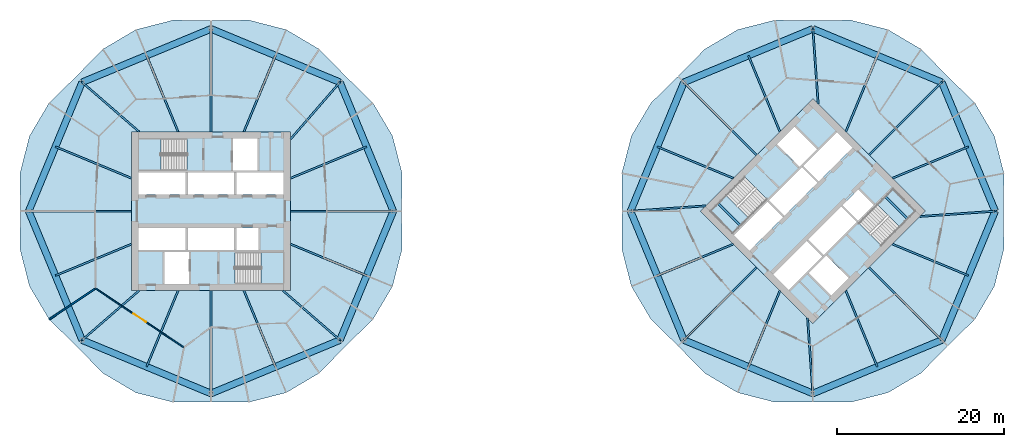
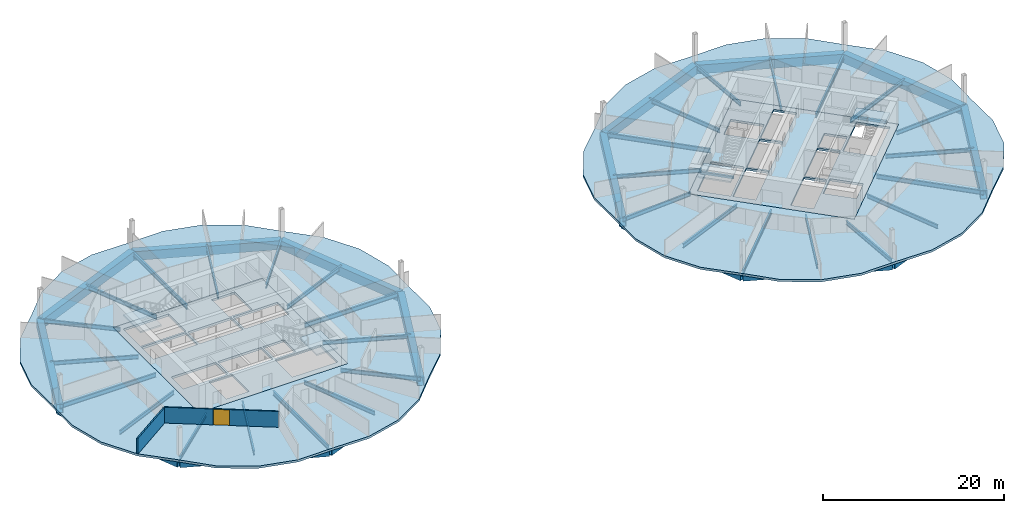
# One storey, part 3 of 9: 50 beams, 8 slabs, 2 walls, 1 door, 1 opening, 4 elements without a shape of their own.
"""IFC4 building model written with IfcOpenShell, lengths in metres."""

from ifc_helpers import new_model, si_unit, direction, frame, frame_2d, origin, origin_2d, place, context, subcontext, project, spatial, polyline, rectangle, hollow_rectangle, i_section, outline, extrude, material, layer, layer_set, material_profile, profile_set, type_object, element, fill, aggregate, save


model = new_model("IFC4")

# Units and contexts
model_context = context("Model", 3, precision=1e-05, world=origin(), true_north=direction((0.0, 1.0)))
body_context = subcontext(model_context, "Body", "Model", "MODEL_VIEW")
ifc_project = project(units=[si_unit("LENGTHUNIT", "METRE"), si_unit("AREAUNIT", "SQUARE_METRE"), si_unit("VOLUMEUNIT", "CUBIC_METRE"), si_unit("PLANEANGLEUNIT", "RADIAN"), si_unit("MASSUNIT", "GRAM", prefix="KILO")], contexts=[model_context])

# Site, building, storey
site_placement = place(None, origin())
site = spatial("IfcSite", under=ifc_project, at=site_placement, CompositionType="ELEMENT")
building_placement = place(site_placement, origin())
building = spatial("IfcBuilding", under=site, at=building_placement, Name="Ogive Gate Towers", CompositionType="ELEMENT")
storey_placement = place(building_placement, frame((0.0, 0.0, 48.0)))
storey = spatial("IfcBuildingStorey", under=building, at=storey_placement, Name="L10", CompositionType="ELEMENT", Elevation=48.0)

# Beams
ifc_material_1 = material(Name="Steel SM460", Category="steel")
ifc_material_profile_1 = material_profile(ifc_material_1, hollow_rectangle(XDim=0.800048828125, YDim=1.199951171875, WallThickness=0.050048828125, at=origin_2d()), Name="BX 1200x800x50")
ifc_profile_set_1 = profile_set([ifc_material_profile_1], Name="Steel SM460")
beam_type_1 = type_object("IfcBeamType", Name="Edge girder BX 1200x800x50", PredefinedType="BEAM", material=ifc_profile_set_1)
for number, where, z_axis, x_axis, name in (
    (1, (-51.422119140625, -15.422119140625, -0.89990234375), (0.923881893128, -0.382677733282, 0.0), (0.382677733282, 0.923881893128, 0.0), "T1/L10/SBM017"),
    (2, (-36.0, -21.81005859375, -0.89990234375), (0.923881893128, 0.382677733282, 0.0), (-0.382677733282, 0.923881893128, 0.0), "T1/L10/SBM018"),
    (3, (-20.577880859375, -15.422119140625, -0.89990234375), (0.382677733282, 0.923881893128, 0.0), (-0.923881893128, 0.382677733282, 0.0), "T1/L10/SBM019"),
    (4, (-14.18994140625, 0.0, -0.89990234375), (-0.382677733282, 0.923881893128, 0.0), (-0.923881893128, -0.382677733282, 0.0), "T1/L10/SBM020"),
    (5, (-20.577880859375, 15.422119140625, -0.89990234375), (-0.923881893128, 0.382677733282, 0.0), (-0.382677733282, -0.923881893128, 0.0), "T1/L10/SBM021"),
    (6, (-36.0, 21.81005859375, -0.89990234375), (-0.923881893128, -0.382677733282, 0.0), (0.382677733282, -0.923881893128, 0.0), "T1/L10/SBM022"),
    (7, (-51.422119140625, 15.422119140625, -0.89990234375), (-0.382677733282, -0.923881893128, 0.0), (0.923881893128, -0.382677733282, 0.0), "T1/L10/SBM023"),
    (8, (-57.81005859375, 0.0, -0.89990234375), (0.382677733282, -0.923881893128, 0.0), (0.923881893128, 0.382677733282, 0.0), "T1/L10/SBM024"),
    (9, (20.577880859375, -15.422119140625, -0.89990234375), (0.923881893128, -0.382677733282, 0.0), (0.382677733282, 0.923881893128, 0.0), "T2/L10/SBM017"),
    (10, (36.0, -21.81005859375, -0.89990234375), (0.923881893128, 0.382677733282, 0.0), (-0.382677733282, 0.923881893128, 0.0), "T2/L10/SBM018"),
    (11, (51.422119140625, -15.422119140625, -0.89990234375), (0.382677733282, 0.923881893128, 0.0), (-0.923881893128, 0.382677733282, 0.0), "T2/L10/SBM019"),
    (12, (57.81005859375, 0.0, -0.89990234375), (-0.382677733282, 0.923881893128, 0.0), (-0.923881893128, -0.382677733282, 0.0), "T2/L10/SBM020"),
    (13, (51.422119140625, 15.422119140625, -0.89990234375), (-0.923881893128, 0.382677733282, 0.0), (-0.382677733282, -0.923881893128, 0.0), "T2/L10/SBM021"),
    (14, (36.0, 21.81005859375, -0.89990234375), (-0.923881893128, -0.382677733282, 0.0), (0.382677733282, -0.923881893128, 0.0), "T2/L10/SBM022"),
    (15, (20.577880859375, 15.422119140625, -0.89990234375), (-0.382677733282, -0.923881893128, 0.0), (0.923881893128, -0.382677733282, 0.0), "T2/L10/SBM023"),
    (16, (14.18994140625, 0.0, -0.89990234375), (0.382677733282, -0.923881893128, 0.0), (0.923881893128, 0.382677733282, 0.0), "T2/L10/SBM024"),
):
    element("IfcBeam", number, at=place(storey_placement, frame(where, z_axis=z_axis, x_axis=x_axis)), inside=storey, type_object=beam_type_1, Name=name, PredefinedType="BEAM", context=body_context, shape_type="SweptSolid", body=[
        extrude(hollow_rectangle(XDim=0.800048828125, YDim=1.199951171875, WallThickness=0.050048828125, at=origin_2d()), origin(), (0.0, 0.0, 1.0), 16.692626953125),
    ])
ifc_material_2 = material(Name="Concrete C40/50", Category="concrete")
ifc_material_profile_2 = material_profile(ifc_material_2, rectangle(XDim=0.25, YDim=0.300048828125, at=origin_2d()), Name="RC 250x300")
ifc_profile_set_2 = profile_set([ifc_material_profile_2], Name="Concrete C40/50")
beam_type_2 = type_object("IfcBeamType", Name="Landing bearer RC 250x300", PredefinedType="BEAM", material=ifc_profile_set_2)
for number, where, z_axis, x_axis, name in (
    (17, (24.650390625, 0.9541015625, 1.60009765625), (0.707106781187, -0.707106781187, 0.0), (0.707106781187, 0.707106781187, 0.0), "T2 L10 stair 1 landing bearer 1"),
    (18, (47.349609375, -0.9541015625, 1.60009765625), (-0.707106781187, 0.707106781187, 0.0), (-0.707106781187, -0.707106781187, 0.0), "T2 L10 stair 2 landing bearer 1"),
):
    element("IfcBeam", number, at=place(storey_placement, frame(where, z_axis=z_axis, x_axis=x_axis)), inside=storey, type_object=beam_type_2, Name=name, PredefinedType="BEAM", context=body_context, shape_type="SweptSolid", body=[
        extrude(rectangle(XDim=0.25, YDim=0.300048828125, at=origin_2d()), origin(), (0.0, 0.0, 1.0), 3.824951171875),
    ])
ifc_material_3 = material(Name="Steel SM355", Category="steel")
ifc_material_profile_3 = material_profile(ifc_material_3, i_section(OverallWidth=0.2099609375, OverallDepth=0.550048828125, WebThickness=0.010986328125, FlangeThickness=0.01708984375, FilletRadius=0.02392578125, at=origin_2d()), Name="IPE 550")
ifc_profile_set_3 = profile_set([ifc_material_profile_3], Name="Steel SM355")
beam_type_3 = type_object("IfcBeamType", Name="Radial floor beam IPE 550", PredefinedType="BEAM", material=ifc_profile_set_3)
beam_1_placement = place(storey_placement, frame((-44.60009765625, -9.5, -0.574951171875), z_axis=(-0.755157389596, -0.655543527875, 0.0), x_axis=(0.655543527875, -0.755157389596, 0.0)))
element("IfcBeam", 19, at=beam_1_placement, inside=storey, type_object=beam_type_3, Name="T1/L10/SBM001", PredefinedType="BEAM", context=body_context, shape_type="SweptSolid", body=[
    extrude(i_section(OverallWidth=0.2099609375, OverallDepth=0.550048828125, WebThickness=0.010986328125, FlangeThickness=0.01708984375, FilletRadius=0.02392578125, at=origin_2d()), origin(), (0.0, 0.0, 1.0), 9.033935546875),
])
for number, where, z_axis, x_axis, name in (
    (20, (-39.93505859375, -9.5, -0.574951171875), (-0.38267666976, -0.923882333645, 0.0), (0.923882333645, -0.38267666976, 0.0), "T1/L10/SBM002"),
    (21, (-32.06494140625, -9.5, -0.574951171875), (0.38267666976, -0.923882333645, 0.0), (0.923882333645, 0.38267666976, 0.0), "T1/L10/SBM004"),
):
    element("IfcBeam", number, at=place(storey_placement, frame(where, z_axis=z_axis, x_axis=x_axis)), inside=storey, type_object=beam_type_3, Name=name, PredefinedType="BEAM", context=body_context, shape_type="SweptSolid", body=[
        extrude(i_section(OverallWidth=0.2099609375, OverallDepth=0.550048828125, WebThickness=0.010986328125, FlangeThickness=0.01708984375, FilletRadius=0.02392578125, at=origin_2d()), origin(), (0.0, 0.0, 1.0), 9.866943359375),
    ])
beam_2_placement = place(storey_placement, frame((-27.39990234375, -9.5, -0.574951171875), z_axis=(0.755157389596, -0.655543527875, 0.0), x_axis=(0.655543527875, 0.755157389596, 0.0)))
element("IfcBeam", 22, at=beam_2_placement, inside=storey, type_object=beam_type_3, Name="T1/L10/SBM005", PredefinedType="BEAM", context=body_context, shape_type="SweptSolid", body=[
    extrude(i_section(OverallWidth=0.2099609375, OverallDepth=0.550048828125, WebThickness=0.010986328125, FlangeThickness=0.01708984375, FilletRadius=0.02392578125, at=origin_2d()), origin(), (0.0, 0.0, 1.0), 9.033935546875),
])
for number, where, z_axis, x_axis, name in (
    (23, (-26.5, -3.93505859375, -0.574951171875), (0.923882333645, -0.38267666976, 0.0), (0.38267666976, 0.923882333645, 0.0), "T1/L10/SBM006"),
    (24, (-26.5, 3.93505859375, -0.574951171875), (0.923882333645, 0.38267666976, 0.0), (-0.38267666976, 0.923882333645, 0.0), "T1/L10/SBM008"),
):
    element("IfcBeam", number, at=place(storey_placement, frame(where, z_axis=z_axis, x_axis=x_axis)), inside=storey, type_object=beam_type_3, Name=name, PredefinedType="BEAM", context=body_context, shape_type="SweptSolid", body=[
        extrude(i_section(OverallWidth=0.2099609375, OverallDepth=0.550048828125, WebThickness=0.010986328125, FlangeThickness=0.01708984375, FilletRadius=0.02392578125, at=origin_2d()), origin(), (0.0, 0.0, 1.0), 9.866943359375),
    ])
beam_3_placement = place(storey_placement, frame((-26.5, 8.60009765625, -0.574951171875), z_axis=(0.655543527875, 0.755157389596, 0.0), x_axis=(-0.755157389596, 0.655543527875, 0.0)))
element("IfcBeam", 25, at=beam_3_placement, inside=storey, type_object=beam_type_3, Name="T1/L10/SBM009", PredefinedType="BEAM", context=body_context, shape_type="SweptSolid", body=[
    extrude(i_section(OverallWidth=0.2099609375, OverallDepth=0.550048828125, WebThickness=0.010986328125, FlangeThickness=0.01708984375, FilletRadius=0.02392578125, at=origin_2d()), origin(), (0.0, 0.0, 1.0), 9.033935546875),
])
for number, where, z_axis, x_axis, name in (
    (26, (-32.06494140625, 9.5, -0.574951171875), (0.38267666976, 0.923882333645, 0.0), (-0.923882333645, 0.38267666976, 0.0), "T1/L10/SBM010"),
    (27, (-39.93505859375, 9.5, -0.574951171875), (-0.38267666976, 0.923882333645, 0.0), (-0.923882333645, -0.38267666976, 0.0), "T1/L10/SBM012"),
):
    element("IfcBeam", number, at=place(storey_placement, frame(where, z_axis=z_axis, x_axis=x_axis)), inside=storey, type_object=beam_type_3, Name=name, PredefinedType="BEAM", context=body_context, shape_type="SweptSolid", body=[
        extrude(i_section(OverallWidth=0.2099609375, OverallDepth=0.550048828125, WebThickness=0.010986328125, FlangeThickness=0.01708984375, FilletRadius=0.02392578125, at=origin_2d()), origin(), (0.0, 0.0, 1.0), 9.866943359375),
    ])
beam_4_placement = place(storey_placement, frame((-44.60009765625, 9.5, -0.574951171875), z_axis=(-0.755157389596, 0.655543527875, 0.0), x_axis=(-0.655543527875, -0.755157389596, 0.0)))
element("IfcBeam", 28, at=beam_4_placement, inside=storey, type_object=beam_type_3, Name="T1/L10/SBM013", PredefinedType="BEAM", context=body_context, shape_type="SweptSolid", body=[
    extrude(i_section(OverallWidth=0.2099609375, OverallDepth=0.550048828125, WebThickness=0.010986328125, FlangeThickness=0.01708984375, FilletRadius=0.02392578125, at=origin_2d()), origin(), (0.0, 0.0, 1.0), 9.033935546875),
])
for number, where, z_axis, x_axis, name in (
    (29, (-45.5, 3.93505859375, -0.574951171875), (-0.923882333645, 0.38267666976, 0.0), (-0.38267666976, -0.923882333645, 0.0), "T1/L10/SBM014"),
    (30, (-45.5, -3.93505859375, -0.574951171875), (-0.923882333645, -0.38267666976, 0.0), (0.38267666976, -0.923882333645, 0.0), "T1/L10/SBM016"),
    (31, (32.06494140625, -9.5, -0.574951171875), (-0.38267666976, -0.923882333645, 0.0), (0.923882333645, -0.38267666976, 0.0), "T2/L10/SBM002"),
):
    element("IfcBeam", number, at=place(storey_placement, frame(where, z_axis=z_axis, x_axis=x_axis)), inside=storey, type_object=beam_type_3, Name=name, PredefinedType="BEAM", context=body_context, shape_type="SweptSolid", body=[
        extrude(i_section(OverallWidth=0.2099609375, OverallDepth=0.550048828125, WebThickness=0.010986328125, FlangeThickness=0.01708984375, FilletRadius=0.02392578125, at=origin_2d()), origin(), (0.0, 0.0, 1.0), 9.866943359375),
    ])
beam_5_placement = place(storey_placement, frame((35.363525390625, -12.798583984375, -0.574951171875), z_axis=(0.070453840617, -0.99751504066, 0.0), x_axis=(0.99751504066, 0.070453840617, 0.0)))
element("IfcBeam", 32, at=beam_5_placement, inside=storey, type_object=beam_type_3, Name="T2/L10/SBM003", PredefinedType="BEAM", context=body_context, shape_type="SweptSolid", body=[
    extrude(i_section(OverallWidth=0.2099609375, OverallDepth=0.550048828125, WebThickness=0.010986328125, FlangeThickness=0.01708984375, FilletRadius=0.02392578125, at=origin_2d()), origin(), (0.0, 0.0, 1.0), 9.033935546875),
])
for number, where, z_axis, x_axis, name in (
    (33, (39.93505859375, -9.5, -0.574951171875), (0.38267666976, -0.923882333645, 0.0), (0.923882333645, 0.38267666976, 0.0), "T2/L10/SBM004"),
    (34, (45.5, -3.93505859375, -0.574951171875), (0.923882333645, -0.38267666976, 0.0), (0.38267666976, 0.923882333645, 0.0), "T2/L10/SBM006"),
):
    element("IfcBeam", number, at=place(storey_placement, frame(where, z_axis=z_axis, x_axis=x_axis)), inside=storey, type_object=beam_type_3, Name=name, PredefinedType="BEAM", context=body_context, shape_type="SweptSolid", body=[
        extrude(i_section(OverallWidth=0.2099609375, OverallDepth=0.550048828125, WebThickness=0.010986328125, FlangeThickness=0.01708984375, FilletRadius=0.02392578125, at=origin_2d()), origin(), (0.0, 0.0, 1.0), 9.866943359375),
    ])
beam_6_placement = place(storey_placement, frame((48.798583984375, -0.636474609375, -0.574951171875), z_axis=(0.99751504066, 0.070453840617, 0.0), x_axis=(-0.070453840617, 0.99751504066, 0.0)))
element("IfcBeam", 35, at=beam_6_placement, inside=storey, type_object=beam_type_3, Name="T2/L10/SBM007", PredefinedType="BEAM", context=body_context, shape_type="SweptSolid", body=[
    extrude(i_section(OverallWidth=0.2099609375, OverallDepth=0.550048828125, WebThickness=0.010986328125, FlangeThickness=0.01708984375, FilletRadius=0.02392578125, at=origin_2d()), origin(), (0.0, 0.0, 1.0), 9.033935546875),
])
for number, where, z_axis, x_axis, name in (
    (36, (45.5, 3.93505859375, -0.574951171875), (0.923882333645, 0.38267666976, 0.0), (-0.38267666976, 0.923882333645, 0.0), "T2/L10/SBM008"),
    (37, (39.93505859375, 9.5, -0.574951171875), (0.38267666976, 0.923882333645, 0.0), (-0.923882333645, 0.38267666976, 0.0), "T2/L10/SBM010"),
):
    element("IfcBeam", number, at=place(storey_placement, frame(where, z_axis=z_axis, x_axis=x_axis)), inside=storey, type_object=beam_type_3, Name=name, PredefinedType="BEAM", context=body_context, shape_type="SweptSolid", body=[
        extrude(i_section(OverallWidth=0.2099609375, OverallDepth=0.550048828125, WebThickness=0.010986328125, FlangeThickness=0.01708984375, FilletRadius=0.02392578125, at=origin_2d()), origin(), (0.0, 0.0, 1.0), 9.866943359375),
    ])
beam_7_placement = place(storey_placement, frame((36.636474609375, 12.798583984375, -0.574951171875), z_axis=(-0.070453840617, 0.99751504066, 0.0), x_axis=(-0.99751504066, -0.070453840617, 0.0)))
element("IfcBeam", 38, at=beam_7_placement, inside=storey, type_object=beam_type_3, Name="T2/L10/SBM011", PredefinedType="BEAM", context=body_context, shape_type="SweptSolid", body=[
    extrude(i_section(OverallWidth=0.2099609375, OverallDepth=0.550048828125, WebThickness=0.010986328125, FlangeThickness=0.01708984375, FilletRadius=0.02392578125, at=origin_2d()), origin(), (0.0, 0.0, 1.0), 9.033935546875),
])
for number, where, z_axis, x_axis, name in (
    (39, (32.06494140625, 9.5, -0.574951171875), (-0.38267666976, 0.923882333645, 0.0), (-0.923882333645, -0.38267666976, 0.0), "T2/L10/SBM012"),
    (40, (26.5, 3.93505859375, -0.574951171875), (-0.923882333645, 0.38267666976, 0.0), (-0.38267666976, -0.923882333645, 0.0), "T2/L10/SBM014"),
):
    element("IfcBeam", number, at=place(storey_placement, frame(where, z_axis=z_axis, x_axis=x_axis)), inside=storey, type_object=beam_type_3, Name=name, PredefinedType="BEAM", context=body_context, shape_type="SweptSolid", body=[
        extrude(i_section(OverallWidth=0.2099609375, OverallDepth=0.550048828125, WebThickness=0.010986328125, FlangeThickness=0.01708984375, FilletRadius=0.02392578125, at=origin_2d()), origin(), (0.0, 0.0, 1.0), 9.866943359375),
    ])
beam_8_placement = place(storey_placement, frame((23.201416015625, 0.636474609375, -0.574951171875), z_axis=(-0.99751504066, -0.070453840617, 0.0), x_axis=(0.070453840617, -0.99751504066, 0.0)))
element("IfcBeam", 41, at=beam_8_placement, inside=storey, type_object=beam_type_3, Name="T2/L10/SBM015", PredefinedType="BEAM", context=body_context, shape_type="SweptSolid", body=[
    extrude(i_section(OverallWidth=0.2099609375, OverallDepth=0.550048828125, WebThickness=0.010986328125, FlangeThickness=0.01708984375, FilletRadius=0.02392578125, at=origin_2d()), origin(), (0.0, 0.0, 1.0), 9.033935546875),
])
beam_9_placement = place(storey_placement, frame((26.5, -3.93505859375, -0.574951171875), z_axis=(-0.923882333645, -0.38267666976, 0.0), x_axis=(0.38267666976, -0.923882333645, 0.0)))
element("IfcBeam", 42, at=beam_9_placement, inside=storey, type_object=beam_type_3, Name="T2/L10/SBM016", PredefinedType="BEAM", context=body_context, shape_type="SweptSolid", body=[
    extrude(i_section(OverallWidth=0.2099609375, OverallDepth=0.550048828125, WebThickness=0.010986328125, FlangeThickness=0.01708984375, FilletRadius=0.02392578125, at=origin_2d()), origin(), (0.0, 0.0, 1.0), 9.866943359375),
])
ifc_material_profile_4 = material_profile(ifc_material_3, i_section(OverallWidth=0.219970703125, OverallDepth=0.60009765625, WebThickness=0.011962890625, FlangeThickness=0.01904296875, FilletRadius=0.02392578125, at=origin_2d()), Name="IPE 600")
ifc_profile_set_4 = profile_set([ifc_material_profile_4], Name="Steel SM355")
beam_type_4 = type_object("IfcBeamType", Name="Radial floor beam IPE 600", PredefinedType="BEAM", material=ifc_profile_set_4)
for number, where, z_axis, x_axis, name in (
    (43, (-36.0, -9.5, -0.60009765625), (0.0, -1.0, 0.0), (1.0, 0.0, 0.0), "T1/L10/SBM003"),
    (44, (-26.5, 0.0, -0.60009765625), (1.0, 0.0, 0.0), (0.0, 1.0, 0.0), "T1/L10/SBM007"),
    (45, (-36.0, 9.5, -0.60009765625), (0.0, 1.0, 0.0), (-1.0, 0.0, 0.0), "T1/L10/SBM011"),
    (46, (-45.5, 0.0, -0.60009765625), (-1.0, 0.0, 0.0), (0.0, -1.0, 0.0), "T1/L10/SBM015"),
    (47, (29.282470703125, -6.717529296875, -0.60009765625), (-0.707106781187, -0.707106781187, 0.0), (0.707106781187, -0.707106781187, 0.0), "T2/L10/SBM001"),
    (48, (42.717529296875, -6.717529296875, -0.60009765625), (0.707106781187, -0.707106781187, 0.0), (0.707106781187, 0.707106781187, 0.0), "T2/L10/SBM005"),
    (49, (42.717529296875, 6.717529296875, -0.60009765625), (0.707106781187, 0.707106781187, 0.0), (-0.707106781187, 0.707106781187, 0.0), "T2/L10/SBM009"),
    (50, (29.282470703125, 6.717529296875, -0.60009765625), (-0.707106781187, 0.707106781187, 0.0), (-0.707106781187, -0.707106781187, 0.0), "T2/L10/SBM013"),
):
    element("IfcBeam", number, at=place(storey_placement, frame(where, z_axis=z_axis, x_axis=x_axis)), inside=storey, type_object=beam_type_4, Name=name, PredefinedType="BEAM", context=body_context, shape_type="SweptSolid", body=[
        extrude(i_section(OverallWidth=0.219970703125, OverallDepth=0.60009765625, WebThickness=0.011962890625, FlangeThickness=0.01904296875, FilletRadius=0.02392578125, at=origin_2d()), origin(), (0.0, 0.0, 1.0), 12.31005859375),
    ])

# Slabs
ifc_layer_1 = layer(ifc_material_2, 0.300048828125)
ifc_layer_set_1 = layer_set([ifc_layer_1], Name="Core slab C40/50 300 mm")
slab_type_1 = type_object("IfcSlabType", Name="Core slab C40/50 300 mm", PredefinedType="FLOOR", material=ifc_layer_set_1)
slab_1_placement = place(storey_placement, frame((0.0, 0.0, -0.300048828125)))
element("IfcSlab", 51, at=slab_1_placement, inside=storey, type_object=slab_type_1, Name="T1 L10 core slab", PredefinedType="FLOOR", context=body_context, shape_type="SweptSolid", body=[
    extrude(outline(polyline([(-26.5, 9.5), (-26.5, -9.5), (-45.5, -9.5), (-45.5, 9.5), (-26.5, 9.5)]), holes=[polyline([(-39.02490234375, 4.625), (-44.699951171875, 4.625), (-44.699951171875, 2.0), (-39.02490234375, 2.0), (-39.02490234375, 4.625)]), polyline([(-33.22509765625, 2.0), (-33.22509765625, 4.625), (-38.77490234375, 4.625), (-38.77490234375, 2.0), (-33.22509765625, 2.0)]), polyline([(-32.97509765625, 2.0), (-27.300048828125, 2.0), (-27.300048828125, 4.625), (-32.97509765625, 4.625), (-32.97509765625, 2.0)]), polyline([(-44.699951171875, -2.0), (-44.699951171875, -4.625), (-39.02490234375, -4.625), (-39.02490234375, -2.0), (-44.699951171875, -2.0)]), polyline([(-33.22509765625, -2.0), (-38.77490234375, -2.0), (-38.77490234375, -4.625), (-33.22509765625, -4.625), (-33.22509765625, -2.0)]), polyline([(-30.324951171875, -4.625), (-30.324951171875, -2.0), (-32.97509765625, -2.0), (-32.97509765625, -4.625), (-30.324951171875, -4.625)]), polyline([(-33.375, 4.875), (-30.425048828125, 4.875), (-30.425048828125, 8.699951171875), (-33.375, 8.699951171875), (-33.375, 4.875)]), polyline([(-41.574951171875, -4.875), (-41.574951171875, -8.699951171875), (-38.625, -8.699951171875), (-38.625, -4.875), (-41.574951171875, -4.875)]), polyline([(-44.699951171875, 4.875), (-38.885009765625, 4.875), (-38.885009765625, 8.699951171875), (-44.699951171875, 8.699951171875), (-44.699951171875, 4.875)]), polyline([(-27.300048828125, -8.699951171875), (-27.300048828125, -4.875), (-33.114990234375, -4.875), (-33.114990234375, -8.699951171875), (-27.300048828125, -8.699951171875)])]), origin(), (0.0, 0.0, 1.0), 0.300048828125),
])
slab_2_placement = place(storey_placement, frame((0.0, 0.0, -0.300048828125)))
element("IfcSlab", 52, at=slab_2_placement, inside=storey, type_object=slab_type_1, Name="T2 L10 core slab", PredefinedType="FLOOR", context=body_context, shape_type="SweptSolid", body=[
    extrude(outline(polyline([(36.0, 13.43505859375), (49.43505859375, 0.0), (36.0, -13.43505859375), (22.56494140625, 0.0), (36.0, 13.43505859375)]), holes=[polyline([(30.590576171875, 1.13134765625), (26.577880859375, -2.881591796875), (28.43408203125, -4.737548828125), (32.44677734375, -0.724853515625), (30.590576171875, 1.13134765625)]), polyline([(36.548095703125, 3.37646484375), (34.69189453125, 5.232666015625), (30.767333984375, 1.30810546875), (32.62353515625, -0.548095703125), (36.548095703125, 3.37646484375)]), polyline([(36.724853515625, 3.55322265625), (40.737548828125, 7.56591796875), (38.881591796875, 9.422119140625), (34.86865234375, 5.409423828125), (36.724853515625, 3.55322265625)]), polyline([(31.262451171875, -7.56591796875), (33.118408203125, -9.422119140625), (37.13134765625, -5.409423828125), (35.275146484375, -3.55322265625), (31.262451171875, -7.56591796875)]), polyline([(39.37646484375, 0.548095703125), (35.451904296875, -3.37646484375), (37.30810546875, -5.232666015625), (41.232666015625, -1.30810546875), (39.37646484375, 0.548095703125)]), polyline([(43.283203125, 0.742431640625), (41.427001953125, 2.5986328125), (39.55322265625, 0.724853515625), (41.409423828125, -1.13134765625), (43.283203125, 0.742431640625)]), polyline([(34.408935546875, 5.30322265625), (36.4951171875, 7.389404296875), (33.790283203125, 10.093994140625), (31.704345703125, 8.008056640625), (34.408935546875, 5.30322265625)]), polyline([(35.5048828125, -7.389404296875), (38.209716796875, -10.093994140625), (40.295654296875, -8.008056640625), (37.591064453125, -5.30322265625), (35.5048828125, -7.389404296875)]), polyline([(26.40087890625, -2.70458984375), (30.512939453125, 1.406982421875), (27.80810546875, 4.11181640625), (23.6962890625, 0.0), (26.40087890625, -2.70458984375)]), polyline([(48.3037109375, 0.0), (45.59912109375, 2.70458984375), (41.487060546875, -1.406982421875), (44.19189453125, -4.11181640625), (48.3037109375, 0.0)])]), origin(), (0.0, 0.0, 1.0), 0.300048828125),
])
ifc_material_4 = material(Name="Concrete C35/45", Category="concrete")
ifc_layer_2 = layer(ifc_material_4, 0.300048828125)
ifc_layer_set_2 = layer_set([ifc_layer_2], Name="Floor slab 300")
slab_type_2 = type_object("IfcSlabType", Name="Floor slab 300", PredefinedType="FLOOR", material=ifc_layer_set_2)
slab_3_placement = place(storey_placement, frame((0.0, 0.0, -0.300048828125)))
element("IfcSlab", 53, at=slab_3_placement, inside=storey, type_object=slab_type_2, Name="T1/L10/SSL001", PredefinedType="FLOOR", context=body_context, shape_type="SweptSolid", body=[
    extrude(outline(polyline([(-13.147705078125, -4.545654296875), (-13.199951171875, 0.0), (-13.147705078125, 4.545654296875), (-14.288818359375, 8.9931640625), (-16.626708984375, 12.94482421875), (-19.8779296875, 16.1220703125), (-23.05517578125, 19.373291015625), (-27.0068359375, 21.711181640625), (-31.454345703125, 22.852294921875), (-36.0, 22.800048828125), (-40.545654296875, 22.852294921875), (-44.9931640625, 21.711181640625), (-48.94482421875, 19.373291015625), (-52.1220703125, 16.1220703125), (-55.373291015625, 12.94482421875), (-57.711181640625, 8.9931640625), (-58.852294921875, 4.545654296875), (-58.800048828125, 0.0), (-58.852294921875, -4.545654296875), (-57.711181640625, -8.9931640625), (-55.373291015625, -12.94482421875), (-52.1220703125, -16.1220703125), (-48.94482421875, -19.373291015625), (-44.9931640625, -21.711181640625), (-40.545654296875, -22.852294921875), (-36.0, -22.800048828125), (-31.454345703125, -22.852294921875), (-27.0068359375, -21.711181640625), (-23.05517578125, -19.373291015625), (-19.8779296875, -16.1220703125), (-16.626708984375, -12.94482421875), (-14.288818359375, -8.9931640625), (-13.147705078125, -4.545654296875)]), holes=[polyline([(-26.5, -9.5), (-45.5, -9.5), (-45.5, 9.5), (-26.5, 9.5), (-26.5, -9.5)])]), origin(), (0.0, 0.0, 1.0), 0.300048828125),
])
slab_4_placement = place(storey_placement, frame((0.0, 0.0, -0.300048828125)))
element("IfcSlab", 54, at=slab_4_placement, inside=storey, type_object=slab_type_2, Name="T2/L10/SSL001", PredefinedType="FLOOR", context=body_context, shape_type="SweptSolid", body=[
    extrude(outline(polyline([(58.852294921875, -4.545654296875), (58.800048828125, 0.0), (58.852294921875, 4.545654296875), (57.711181640625, 8.9931640625), (55.373291015625, 12.94482421875), (52.1220703125, 16.1220703125), (48.94482421875, 19.373291015625), (44.9931640625, 21.711181640625), (40.545654296875, 22.852294921875), (36.0, 22.800048828125), (31.454345703125, 22.852294921875), (27.0068359375, 21.711181640625), (23.05517578125, 19.373291015625), (19.8779296875, 16.1220703125), (16.626708984375, 12.94482421875), (14.288818359375, 8.9931640625), (13.147705078125, 4.545654296875), (13.199951171875, 0.0), (13.147705078125, -4.545654296875), (14.288818359375, -8.9931640625), (16.626708984375, -12.94482421875), (19.8779296875, -16.1220703125), (23.05517578125, -19.373291015625), (27.0068359375, -21.711181640625), (31.454345703125, -22.852294921875), (36.0, -22.800048828125), (40.545654296875, -22.852294921875), (44.9931640625, -21.711181640625), (48.94482421875, -19.373291015625), (52.1220703125, -16.1220703125), (55.373291015625, -12.94482421875), (57.711181640625, -8.9931640625), (58.852294921875, -4.545654296875)]), holes=[polyline([(49.43505859375, 0.0), (36.0, -13.43505859375), (22.56494140625, 0.0), (36.0, 13.43505859375), (49.43505859375, 0.0)])]), origin(), (0.0, 0.0, 1.0), 0.300048828125),
])

# Stair, slab
stair_type = type_object("IfcStairType", Name="Escape stair 1840 wide", PredefinedType="HALF_TURN_STAIR", material=ifc_material_2)
stair_1_placement = place(storey_placement, origin())
stair_1 = element("IfcStair", 55, at=stair_1_placement, inside=storey, type_object=stair_type, Name="L10 Escape stair 1", PredefinedType="HALF_TURN_STAIR")
ifc_layer_3 = layer(ifc_material_2, 0.199951171875)
ifc_layer_set_3 = layer_set([ifc_layer_3], Name="Stair landing 200 mm")
slab_type_3 = type_object("IfcSlabType", Name="Stair landing 200 mm", PredefinedType="LANDING", material=ifc_layer_set_3)
slab_5_placement = place(storey_placement, frame((0.0, 0.0, 1.75)))
slab_5 = element("IfcSlab", 56, at=slab_5_placement, type_object=slab_type_3, Name="ST1 landing 1", PredefinedType="LANDING", context=body_context, shape_type="SweptSolid", body=[
    extrude(outline(polyline([(-42.00146484375, 8.699951171875), (-44.699951171875, 8.699951171875), (-44.699951171875, 4.875), (-42.00146484375, 4.875), (-42.00146484375, 8.699951171875)])), origin(), (0.0, 0.0, 1.0), 0.199951171875),
])
aggregate(stair_1, [slab_5])

stair_2_placement = place(storey_placement, origin())
stair_2 = element("IfcStair", 57, at=stair_2_placement, inside=storey, type_object=stair_type, Name="L10 Escape stair 2", PredefinedType="HALF_TURN_STAIR")
slab_6_placement = place(storey_placement, frame((0.0, 0.0, 1.75)))
slab_6 = element("IfcSlab", 58, at=slab_6_placement, type_object=slab_type_3, Name="ST2 landing 1", PredefinedType="LANDING", context=body_context, shape_type="SweptSolid", body=[
    extrude(outline(polyline([(-29.99853515625, -8.699951171875), (-27.300048828125, -8.699951171875), (-27.300048828125, -4.875), (-29.99853515625, -4.875), (-29.99853515625, -8.699951171875)])), origin(), (0.0, 0.0, 1.0), 0.199951171875),
])
aggregate(stair_2, [slab_6])

stair_3_placement = place(storey_placement, origin())
stair_3 = element("IfcStair", 59, at=stair_3_placement, inside=storey, type_object=stair_type, Name="L10 Escape stair 1", PredefinedType="HALF_TURN_STAIR")
slab_7_placement = place(storey_placement, frame((0.0, 0.0, 1.75)))
slab_7 = element("IfcSlab", 60, at=slab_7_placement, type_object=slab_type_3, Name="ST1 landing 1", PredefinedType="LANDING", context=body_context, shape_type="SweptSolid", body=[
    extrude(outline(polyline([(25.6044921875, 1.908203125), (23.6962890625, 0.0), (26.401123046875, -2.70458984375), (28.309326171875, -0.79638671875), (25.6044921875, 1.908203125)])), origin(), (0.0, 0.0, 1.0), 0.199951171875),
])
aggregate(stair_3, [slab_7])

stair_4_placement = place(storey_placement, origin())
stair_4 = element("IfcStair", 61, at=stair_4_placement, inside=storey, type_object=stair_type, Name="L10 Escape stair 2", PredefinedType="HALF_TURN_STAIR")
slab_8_placement = place(storey_placement, frame((0.0, 0.0, 1.75)))
slab_8 = element("IfcSlab", 62, at=slab_8_placement, type_object=slab_type_3, Name="ST2 landing 1", PredefinedType="LANDING", context=body_context, shape_type="SweptSolid", body=[
    extrude(outline(polyline([(46.3955078125, -1.908203125), (48.3037109375, 0.0), (45.598876953125, 2.70458984375), (43.690673828125, 0.79638671875), (46.3955078125, -1.908203125)])), origin(), (0.0, 0.0, 1.0), 0.199951171875),
])
aggregate(stair_4, [slab_8])

# Wall
ifc_material_5 = material(Name="Gypsum board acoustic partition")
ifc_layer_4 = layer(ifc_material_5, 0.175048828125)
ifc_layer_set_4 = layer_set([ifc_layer_4], Name="Acoustic partition 175")
wall_type_1 = type_object("IfcWallType", Name="Acoustic partition 175", PredefinedType="PARTITIONING", material=ifc_layer_set_4)
wall_1_placement = place(storey_placement, frame((-55.36865234375, -12.950927734375, 0.0), z_axis=(0.0, 0.0, 1.0), x_axis=(0.831291653467, 0.555836474941, 0.0)))
element("IfcWall", 63, at=wall_1_placement, inside=storey, type_object=wall_type_1, Name="Partition T1-L10-010", PredefinedType="PARTITIONING", context=body_context, shape_type="SweptSolid", body=[
    extrude(rectangle(XDim=6.591552734375, YDim=0.175048828125, at=frame_2d((3.2958984375, 0.0))), origin(), (0.0, 0.0, 1.0), 2.10009765625),
])

# Wall, opening, door
ifc_material_6 = material(Name="Gypsum board partition")
ifc_layer_5 = layer(ifc_material_6, 0.125)
ifc_layer_set_5 = layer_set([ifc_layer_5], Name="Partition 125")
wall_type_2 = type_object("IfcWallType", Name="Partition 125", PredefinedType="PARTITIONING", material=ifc_layer_set_5)
wall_2_placement = place(storey_placement, frame((-49.81640625, -9.238525390625, 0.0), z_axis=(0.0, 0.0, 1.0), x_axis=(0.831651465054, -0.55529797467, 0.0)))
wall_2 = element("IfcWall", 64, at=wall_2_placement, inside=storey, type_object=wall_type_2, Name="Partition T1-L10-024", PredefinedType="PARTITIONING", context=body_context, shape_type="SweptSolid", body=[
    extrude(rectangle(XDim=12.720703125, YDim=0.125, at=frame_2d((6.3603515625, 0.0))), origin(), (0.0, 0.0, 1.0), 2.139892578125),
])
opening_placement = place(wall_2_placement, frame((5.4599609375, 0.0, 0.0)))
opening = element("IfcOpeningElement", 65, at=opening_placement, cuts=wall_2, Name="Opening T1-L10-D07", PredefinedType="OPENING", context=body_context, shape_type="SweptSolid", body=[
    extrude(rectangle(XDim=1.800048828125, YDim=2.10009765625, at=frame_2d((0.89990234375, 1.050048828125))), frame((0.0, 0.072509765625, 0.0), z_axis=(0.0, -1.0, 0.0), x_axis=(1.0, 0.0, 0.0)), (0.0, 0.0, 1.0), 0.14501953125),
])
ifc_material_7 = material(Name="Timber door", Category="wood")
door_type = type_object("IfcDoorType", Name="Door pair 1800", OperationType="NOTDEFINED", PredefinedType="DOOR", material=ifc_material_7)
door_placement = place(opening_placement, origin())
door = element("IfcDoor", 66, at=door_placement, inside=storey, type_object=door_type, Name="Door T1-L10-D07", OperationType="DOUBLE_DOOR_DOUBLE_SWING", OverallHeight=2.10009765625, OverallWidth=1.800048828125, PredefinedType="DOOR", context=body_context, shape_type="SweptSolid", body=[
    extrude(rectangle(XDim=1.800048828125, YDim=2.10009765625, at=frame_2d((0.89990234375, 1.050048828125))), frame((0.0, 0.02490234375, 0.0), z_axis=(0.0, -1.0, 0.0), x_axis=(1.0, 0.0, 0.0)), (0.0, 0.0, 1.0), 0.050048828125),
])
fill(opening, door)

save(model, "model.ifc")
